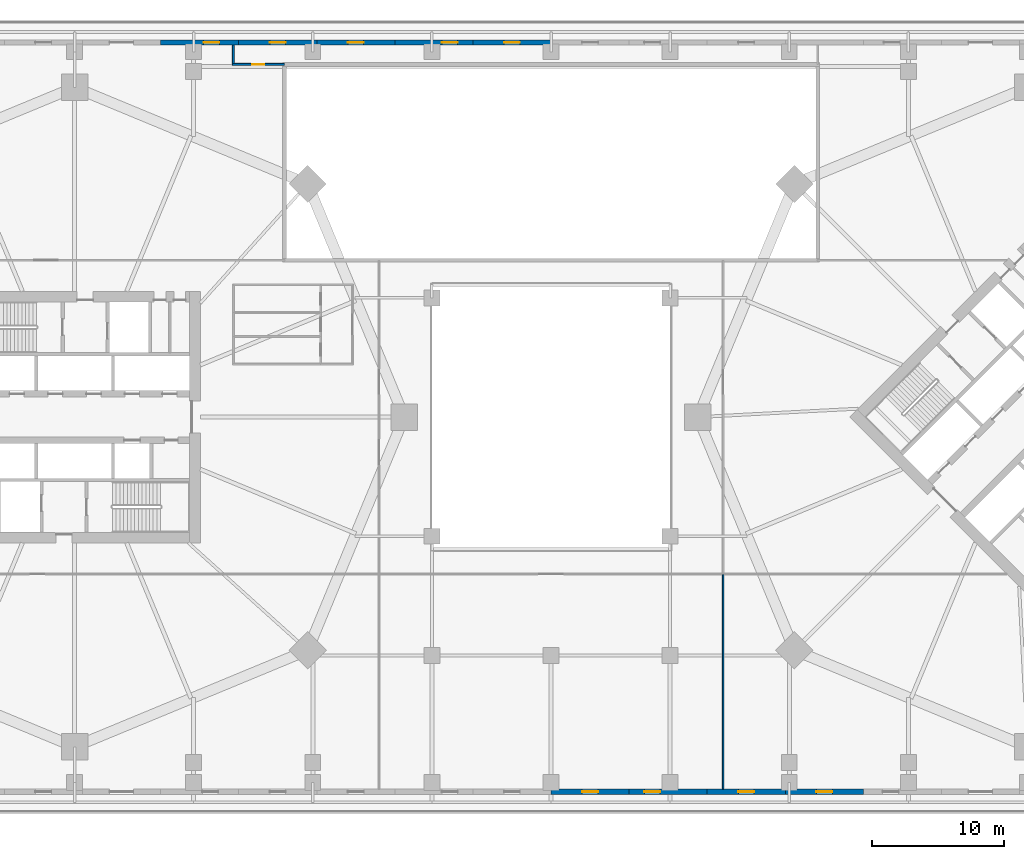
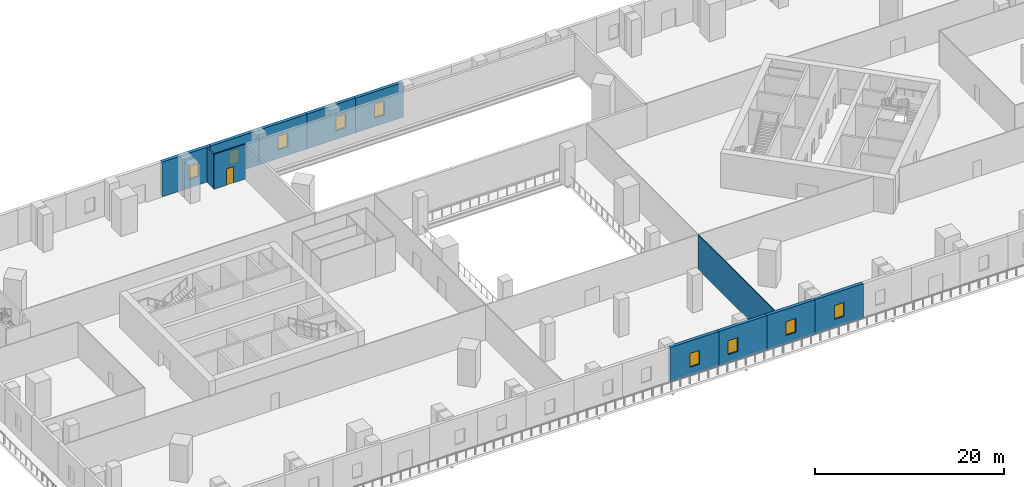
# One storey, part 7 of 17: 12 walls, 9 windows, 1 door, 10 openings.
"""IFC4 building model written with IfcOpenShell, lengths in metres."""

from ifc_helpers import new_model, si_unit, direction, frame, frame_2d, origin, place, context, subcontext, project, spatial, rectangle, extrude, material, layer, layer_set, type_object, element, fill, save


model = new_model("IFC4")

# Units and contexts
model_context = context("Model", 3, precision=1e-05, world=origin(), true_north=direction((0.0, 1.0)))
body_context = subcontext(model_context, "Body", "Model", "MODEL_VIEW")
ifc_project = project(units=[si_unit("LENGTHUNIT", "METRE"), si_unit("AREAUNIT", "SQUARE_METRE"), si_unit("VOLUMEUNIT", "CUBIC_METRE"), si_unit("PLANEANGLEUNIT", "RADIAN"), si_unit("MASSUNIT", "GRAM", prefix="KILO")], contexts=[model_context])

# Site, building, storey
site_placement = place(None, origin())
site = spatial("IfcSite", under=ifc_project, at=site_placement, CompositionType="ELEMENT")
building_placement = place(site_placement, origin())
building = spatial("IfcBuilding", under=site, at=building_placement, Name="Ogive Gate Towers", CompositionType="ELEMENT")
storey_placement = place(building_placement, frame((0.0, 0.0, 18.0)))
storey = spatial("IfcBuildingStorey", under=building, at=storey_placement, Name="L03", CompositionType="ELEMENT", Elevation=18.0)

# Wall
ifc_material_1 = material(Name="Gypsum board partition")
ifc_layer_1 = layer(ifc_material_1, 0.10009765625)
ifc_layer_set_1 = layer_set([ifc_layer_1], Name="Partition wall 100")
wall_type_1 = type_object("IfcWallType", Name="Partition wall 100", PredefinedType="PARTITIONING", material=ifc_layer_set_1)
wall_1_placement = place(storey_placement, frame((13.0, -28.10009765625, 0.0), z_axis=(0.0, 0.0, 1.0), x_axis=(0.0, 1.0, 0.0)))
element("IfcWall", 1, at=wall_1_placement, inside=storey, type_object=wall_type_1, Name="L03 partition 030", PredefinedType="PARTITIONING", context=body_context, shape_type="SweptSolid", body=[
    extrude(rectangle(XDim=16.2001953125, YDim=0.10009765625, at=frame_2d((8.10009765625, 0.0))), origin(), (0.0, 0.0, 1.0), 4.5),
])

# Wall, opening, door
ifc_material_2 = material(Name="Fire-rated gypsum board partition")
ifc_layer_2 = layer(ifc_material_2, 0.14990234375)
ifc_layer_set_2 = layer_set([ifc_layer_2], Name="Partition wall 150")
wall_type_2 = type_object("IfcWallType", Name="Partition wall 150", PredefinedType="PARTITIONING", material=ifc_layer_set_2)
wall_2_placement = place(storey_placement, frame((-24.074951171875, 26.64990234375, 0.0), z_axis=(0.0, 0.0, 1.0), x_axis=(1.0, 0.0, 0.0)))
wall_2 = element("IfcWall", 2, at=wall_2_placement, inside=storey, type_object=wall_type_2, Name="L03 partition 017", PredefinedType="PARTITIONING", context=body_context, shape_type="SweptSolid", body=[
    extrude(rectangle(XDim=3.925048828125, YDim=0.14990234375, at=frame_2d((1.96240234375, 0.0))), origin(), (0.0, 0.0, 1.0), 4.5),
])
opening_1_placement = place(wall_2_placement, frame((1.512451171875, 0.0, 0.0)))
opening_1 = element("IfcOpeningElement", 3, at=opening_1_placement, cuts=wall_2, Name="Opening PO181", PredefinedType="OPENING", context=body_context, shape_type="SweptSolid", body=[
    extrude(rectangle(XDim=0.89990234375, YDim=2.10009765625, at=frame_2d((0.449951171875, 1.050048828125))), frame((0.0, 0.0849609375, 0.0), z_axis=(0.0, -1.0, 0.0), x_axis=(1.0, 0.0, 0.0)), (0.0, 0.0, 1.0), 0.169921875),
])
ifc_material_3 = material(Name="Steel fire door", Category="steel")
door_type = type_object("IfcDoorType", Name="Interior fire door FD60S 900 x 2100", OperationType="NOTDEFINED", PredefinedType="DOOR", material=ifc_material_3)
door_placement = place(opening_1_placement, origin())
door = element("IfcDoor", 4, at=door_placement, inside=storey, type_object=door_type, Name="Door PO181", OperationType="SINGLE_SWING_LEFT", OverallHeight=2.10009765625, OverallWidth=0.89990234375, PredefinedType="DOOR", context=body_context, shape_type="SweptSolid", body=[
    extrude(rectangle(XDim=0.89990234375, YDim=2.10009765625, at=frame_2d((0.449951171875, 1.050048828125))), frame((0.0, 0.02490234375, 0.0), z_axis=(0.0, -1.0, 0.0), x_axis=(1.0, 0.0, 0.0)), (0.0, 0.0, 1.0), 0.050048828125),
])
fill(opening_1, door)

# Wall
wall_3_placement = place(storey_placement, frame((-24.0, 26.72509765625, 0.0), z_axis=(0.0, 0.0, 1.0), x_axis=(0.0, 1.0, 0.0)))
element("IfcWall", 5, at=wall_3_placement, inside=storey, type_object=wall_type_2, Name="L03 partition 018", PredefinedType="PARTITIONING", context=body_context, shape_type="SweptSolid", body=[
    extrude(rectangle(XDim=1.375, YDim=0.14990234375, at=frame_2d((0.6875, 0.0))), origin(), (0.0, 0.0, 1.0), 4.5),
])

# Wall, opening, window
ifc_material_4 = material(Name="Precast concrete C40/50", Category="concrete")
ifc_layer_3 = layer(ifc_material_4, 0.39990234375)
ifc_layer_set_3 = layer_set([ifc_layer_3], Name="Podium wall 400")
wall_type_3 = type_object("IfcWallType", Name="Podium wall 400", PredefinedType="SOLIDWALL", material=ifc_layer_set_3)
wall_4_placement = place(storey_placement, frame((0.0, 28.300048828125, 0.0), z_axis=(0.0, 0.0, 1.0), x_axis=(-1.0, 0.0, 0.0)))
wall_4 = element("IfcWall", 6, at=wall_4_placement, inside=storey, type_object=wall_type_3, Name="Podium wall", PredefinedType="SOLIDWALL", context=body_context, shape_type="SweptSolid", body=[
    extrude(rectangle(XDim=5.89990234375, YDim=0.39990234375, at=frame_2d((2.949951171875, 0.0))), origin(), (0.0, 0.0, 1.0), 4.5),
])
opening_2_placement = place(wall_4_placement, frame((2.35009765625, 0.0, 1.10009765625)))
opening_2 = element("IfcOpeningElement", 7, at=opening_2_placement, cuts=wall_4, Name="Opening WN3", PredefinedType="OPENING", context=body_context, shape_type="SweptSolid", body=[
    extrude(rectangle(XDim=1.199951171875, YDim=1.800048828125, at=frame_2d((0.60009765625, 0.89990234375))), frame((0.0, 0.2099609375, 0.0), z_axis=(0.0, -1.0, 0.0), x_axis=(1.0, 0.0, 0.0)), (0.0, 0.0, 1.0), 0.419921875),
])
ifc_material_5 = material(Name="Clear glass", Category="glass")
window_type = type_object("IfcWindowType", Name="Podium window 1200 x 1800", PartitioningType="SINGLE_PANEL", PredefinedType="WINDOW", material=ifc_material_5)
window_1_placement = place(opening_2_placement, origin())
window_1 = element("IfcWindow", 8, at=window_1_placement, inside=storey, type_object=window_type, Name="Podium window", OverallHeight=1.800048828125, OverallWidth=1.199951171875, PartitioningType="SINGLE_PANEL", PredefinedType="WINDOW", context=body_context, shape_type="SweptSolid", body=[
    extrude(rectangle(XDim=1.199951171875, YDim=1.800048828125, at=frame_2d((0.60009765625, 0.89990234375))), frame((0.0, 0.030029296875, 0.0), z_axis=(0.0, -1.0, 0.0), x_axis=(1.0, 0.0, 0.0)), (0.0, 0.0, 1.0), 0.06005859375),
])
fill(opening_2, window_1)

wall_5_placement = place(storey_placement, frame((-5.89990234375, 28.300048828125, 0.0), z_axis=(0.0, 0.0, 1.0), x_axis=(-1.0, 0.0, 0.0)))
wall_5 = element("IfcWall", 9, at=wall_5_placement, inside=storey, type_object=wall_type_3, Name="Podium wall", PredefinedType="SOLIDWALL", context=body_context, shape_type="SweptSolid", body=[
    extrude(rectangle(XDim=5.900146484375, YDim=0.39990234375, at=frame_2d((2.9501953125, 0.0))), origin(), (0.0, 0.0, 1.0), 4.5),
])
opening_3_placement = place(wall_5_placement, frame((1.14990234375, 0.0, 1.10009765625)))
opening_3 = element("IfcOpeningElement", 10, at=opening_3_placement, cuts=wall_5, Name="Opening WN3", PredefinedType="OPENING", context=body_context, shape_type="SweptSolid", body=[
    extrude(rectangle(XDim=1.199951171875, YDim=1.800048828125, at=frame_2d((0.60009765625, 0.89990234375))), frame((0.0, 0.2099609375, 0.0), z_axis=(0.0, -1.0, 0.0), x_axis=(1.0, 0.0, 0.0)), (0.0, 0.0, 1.0), 0.419921875),
])
window_2_placement = place(opening_3_placement, origin())
window_2 = element("IfcWindow", 11, at=window_2_placement, inside=storey, type_object=window_type, Name="Podium window", OverallHeight=1.800048828125, OverallWidth=1.199951171875, PartitioningType="SINGLE_PANEL", PredefinedType="WINDOW", context=body_context, shape_type="SweptSolid", body=[
    extrude(rectangle(XDim=1.199951171875, YDim=1.800048828125, at=frame_2d((0.60009765625, 0.89990234375))), frame((0.0, 0.030029296875, 0.0), z_axis=(0.0, -1.0, 0.0), x_axis=(1.0, 0.0, 0.0)), (0.0, 0.0, 1.0), 0.06005859375),
])
fill(opening_3, window_2)

wall_6_placement = place(storey_placement, frame((-11.800048828125, 28.300048828125, 0.0), z_axis=(0.0, 0.0, 1.0), x_axis=(-1.0, 0.0, 0.0)))
wall_6 = element("IfcWall", 12, at=wall_6_placement, inside=storey, type_object=wall_type_3, Name="Podium wall", PredefinedType="SOLIDWALL", context=body_context, shape_type="SweptSolid", body=[
    extrude(rectangle(XDim=5.89990234375, YDim=0.39990234375, at=frame_2d((2.949951171875, 0.0))), origin(), (0.0, 0.0, 1.0), 4.5),
])
opening_4_placement = place(wall_6_placement, frame((2.35009765625, 0.0, 1.10009765625)))
opening_4 = element("IfcOpeningElement", 13, at=opening_4_placement, cuts=wall_6, Name="Opening WN3", PredefinedType="OPENING", context=body_context, shape_type="SweptSolid", body=[
    extrude(rectangle(XDim=1.199951171875, YDim=1.800048828125, at=frame_2d((0.60009765625, 0.89990234375))), frame((0.0, 0.2099609375, 0.0), z_axis=(0.0, -1.0, 0.0), x_axis=(1.0, 0.0, 0.0)), (0.0, 0.0, 1.0), 0.419921875),
])
window_3_placement = place(opening_4_placement, origin())
window_3 = element("IfcWindow", 14, at=window_3_placement, inside=storey, type_object=window_type, Name="Podium window", OverallHeight=1.800048828125, OverallWidth=1.199951171875, PartitioningType="SINGLE_PANEL", PredefinedType="WINDOW", context=body_context, shape_type="SweptSolid", body=[
    extrude(rectangle(XDim=1.199951171875, YDim=1.800048828125, at=frame_2d((0.60009765625, 0.89990234375))), frame((0.0, 0.030029296875, 0.0), z_axis=(0.0, -1.0, 0.0), x_axis=(1.0, 0.0, 0.0)), (0.0, 0.0, 1.0), 0.06005859375),
])
fill(opening_4, window_3)

wall_7_placement = place(storey_placement, frame((-17.699951171875, 28.300048828125, 0.0), z_axis=(0.0, 0.0, 1.0), x_axis=(-1.0, 0.0, 0.0)))
wall_7 = element("IfcWall", 15, at=wall_7_placement, inside=storey, type_object=wall_type_3, Name="Podium wall", PredefinedType="SOLIDWALL", context=body_context, shape_type="SweptSolid", body=[
    extrude(rectangle(XDim=5.900146484375, YDim=0.39990234375, at=frame_2d((2.9501953125, 0.0))), origin(), (0.0, 0.0, 1.0), 4.5),
])
opening_5_placement = place(wall_7_placement, frame((2.35009765625, 0.0, 1.10009765625)))
opening_5 = element("IfcOpeningElement", 16, at=opening_5_placement, cuts=wall_7, Name="Opening WN3", PredefinedType="OPENING", context=body_context, shape_type="SweptSolid", body=[
    extrude(rectangle(XDim=1.199951171875, YDim=1.800048828125, at=frame_2d((0.60009765625, 0.89990234375))), frame((0.0, 0.2099609375, 0.0), z_axis=(0.0, -1.0, 0.0), x_axis=(1.0, 0.0, 0.0)), (0.0, 0.0, 1.0), 0.419921875),
])
window_4_placement = place(opening_5_placement, origin())
window_4 = element("IfcWindow", 17, at=window_4_placement, inside=storey, type_object=window_type, Name="Podium window", OverallHeight=1.800048828125, OverallWidth=1.199951171875, PartitioningType="SINGLE_PANEL", PredefinedType="WINDOW", context=body_context, shape_type="SweptSolid", body=[
    extrude(rectangle(XDim=1.199951171875, YDim=1.800048828125, at=frame_2d((0.60009765625, 0.89990234375))), frame((0.0, 0.030029296875, 0.0), z_axis=(0.0, -1.0, 0.0), x_axis=(1.0, 0.0, 0.0)), (0.0, 0.0, 1.0), 0.06005859375),
])
fill(opening_5, window_4)

wall_8_placement = place(storey_placement, frame((-23.60009765625, 28.300048828125, 0.0), z_axis=(0.0, 0.0, 1.0), x_axis=(-1.0, 0.0, 0.0)))
wall_8 = element("IfcWall", 18, at=wall_8_placement, inside=storey, type_object=wall_type_3, Name="Podium wall", PredefinedType="SOLIDWALL", context=body_context, shape_type="SweptSolid", body=[
    extrude(rectangle(XDim=5.89990234375, YDim=0.39990234375, at=frame_2d((2.949951171875, 0.0))), origin(), (0.0, 0.0, 1.0), 4.5),
])
opening_6_placement = place(wall_8_placement, frame((1.449951171875, 0.0, 1.10009765625)))
opening_6 = element("IfcOpeningElement", 19, at=opening_6_placement, cuts=wall_8, Name="Opening WN3", PredefinedType="OPENING", context=body_context, shape_type="SweptSolid", body=[
    extrude(rectangle(XDim=1.199951171875, YDim=1.800048828125, at=frame_2d((0.60009765625, 0.89990234375))), frame((0.0, 0.2099609375, 0.0), z_axis=(0.0, -1.0, 0.0), x_axis=(1.0, 0.0, 0.0)), (0.0, 0.0, 1.0), 0.419921875),
])
window_5_placement = place(opening_6_placement, origin())
window_5 = element("IfcWindow", 20, at=window_5_placement, inside=storey, type_object=window_type, Name="Podium window", OverallHeight=1.800048828125, OverallWidth=1.199951171875, PartitioningType="SINGLE_PANEL", PredefinedType="WINDOW", context=body_context, shape_type="SweptSolid", body=[
    extrude(rectangle(XDim=1.199951171875, YDim=1.800048828125, at=frame_2d((0.60009765625, 0.89990234375))), frame((0.0, 0.030029296875, 0.0), z_axis=(0.0, -1.0, 0.0), x_axis=(1.0, 0.0, 0.0)), (0.0, 0.0, 1.0), 0.06005859375),
])
fill(opening_6, window_5)

wall_9_placement = place(storey_placement, frame((0.0, -28.300048828125, 0.0), z_axis=(0.0, 0.0, 1.0), x_axis=(1.0, 0.0, 0.0)))
wall_9 = element("IfcWall", 21, at=wall_9_placement, inside=storey, type_object=wall_type_3, Name="Podium wall", PredefinedType="SOLIDWALL", context=body_context, shape_type="SweptSolid", body=[
    extrude(rectangle(XDim=5.89990234375, YDim=0.39990234375, at=frame_2d((2.949951171875, 0.0))), origin(), (0.0, 0.0, 1.0), 4.5),
])
opening_7_placement = place(wall_9_placement, frame((2.35009765625, 0.0, 1.10009765625)))
opening_7 = element("IfcOpeningElement", 22, at=opening_7_placement, cuts=wall_9, Name="Opening WN3", PredefinedType="OPENING", context=body_context, shape_type="SweptSolid", body=[
    extrude(rectangle(XDim=1.199951171875, YDim=1.800048828125, at=frame_2d((0.60009765625, 0.89990234375))), frame((0.0, 0.2099609375, 0.0), z_axis=(0.0, -1.0, 0.0), x_axis=(1.0, 0.0, 0.0)), (0.0, 0.0, 1.0), 0.419921875),
])
window_6_placement = place(opening_7_placement, origin())
window_6 = element("IfcWindow", 23, at=window_6_placement, inside=storey, type_object=window_type, Name="Podium window", OverallHeight=1.800048828125, OverallWidth=1.199951171875, PartitioningType="SINGLE_PANEL", PredefinedType="WINDOW", context=body_context, shape_type="SweptSolid", body=[
    extrude(rectangle(XDim=1.199951171875, YDim=1.800048828125, at=frame_2d((0.60009765625, 0.89990234375))), frame((0.0, 0.030029296875, 0.0), z_axis=(0.0, -1.0, 0.0), x_axis=(1.0, 0.0, 0.0)), (0.0, 0.0, 1.0), 0.06005859375),
])
fill(opening_7, window_6)

wall_10_placement = place(storey_placement, frame((5.89990234375, -28.300048828125, 0.0), z_axis=(0.0, 0.0, 1.0), x_axis=(1.0, 0.0, 0.0)))
wall_10 = element("IfcWall", 24, at=wall_10_placement, inside=storey, type_object=wall_type_3, Name="Podium wall", PredefinedType="SOLIDWALL", context=body_context, shape_type="SweptSolid", body=[
    extrude(rectangle(XDim=5.900146484375, YDim=0.39990234375, at=frame_2d((2.9501953125, 0.0))), origin(), (0.0, 0.0, 1.0), 4.5),
])
opening_8_placement = place(wall_10_placement, frame((1.14990234375, 0.0, 1.10009765625)))
opening_8 = element("IfcOpeningElement", 25, at=opening_8_placement, cuts=wall_10, Name="Opening WN3", PredefinedType="OPENING", context=body_context, shape_type="SweptSolid", body=[
    extrude(rectangle(XDim=1.199951171875, YDim=1.800048828125, at=frame_2d((0.60009765625, 0.89990234375))), frame((0.0, 0.2099609375, 0.0), z_axis=(0.0, -1.0, 0.0), x_axis=(1.0, 0.0, 0.0)), (0.0, 0.0, 1.0), 0.419921875),
])
window_7_placement = place(opening_8_placement, origin())
window_7 = element("IfcWindow", 26, at=window_7_placement, inside=storey, type_object=window_type, Name="Podium window", OverallHeight=1.800048828125, OverallWidth=1.199951171875, PartitioningType="SINGLE_PANEL", PredefinedType="WINDOW", context=body_context, shape_type="SweptSolid", body=[
    extrude(rectangle(XDim=1.199951171875, YDim=1.800048828125, at=frame_2d((0.60009765625, 0.89990234375))), frame((0.0, 0.030029296875, 0.0), z_axis=(0.0, -1.0, 0.0), x_axis=(1.0, 0.0, 0.0)), (0.0, 0.0, 1.0), 0.06005859375),
])
fill(opening_8, window_7)

wall_11_placement = place(storey_placement, frame((11.800048828125, -28.300048828125, 0.0), z_axis=(0.0, 0.0, 1.0), x_axis=(1.0, 0.0, 0.0)))
wall_11 = element("IfcWall", 27, at=wall_11_placement, inside=storey, type_object=wall_type_3, Name="Podium wall", PredefinedType="SOLIDWALL", context=body_context, shape_type="SweptSolid", body=[
    extrude(rectangle(XDim=5.89990234375, YDim=0.39990234375, at=frame_2d((2.949951171875, 0.0))), origin(), (0.0, 0.0, 1.0), 4.5),
])
opening_9_placement = place(wall_11_placement, frame((2.35009765625, 0.0, 1.10009765625)))
opening_9 = element("IfcOpeningElement", 28, at=opening_9_placement, cuts=wall_11, Name="Opening WN3", PredefinedType="OPENING", context=body_context, shape_type="SweptSolid", body=[
    extrude(rectangle(XDim=1.199951171875, YDim=1.800048828125, at=frame_2d((0.60009765625, 0.89990234375))), frame((0.0, 0.2099609375, 0.0), z_axis=(0.0, -1.0, 0.0), x_axis=(1.0, 0.0, 0.0)), (0.0, 0.0, 1.0), 0.419921875),
])
window_8_placement = place(opening_9_placement, origin())
window_8 = element("IfcWindow", 29, at=window_8_placement, inside=storey, type_object=window_type, Name="Podium window", OverallHeight=1.800048828125, OverallWidth=1.199951171875, PartitioningType="SINGLE_PANEL", PredefinedType="WINDOW", context=body_context, shape_type="SweptSolid", body=[
    extrude(rectangle(XDim=1.199951171875, YDim=1.800048828125, at=frame_2d((0.60009765625, 0.89990234375))), frame((0.0, 0.030029296875, 0.0), z_axis=(0.0, -1.0, 0.0), x_axis=(1.0, 0.0, 0.0)), (0.0, 0.0, 1.0), 0.06005859375),
])
fill(opening_9, window_8)

wall_12_placement = place(storey_placement, frame((17.699951171875, -28.300048828125, 0.0), z_axis=(0.0, 0.0, 1.0), x_axis=(1.0, 0.0, 0.0)))
wall_12 = element("IfcWall", 30, at=wall_12_placement, inside=storey, type_object=wall_type_3, Name="Podium wall", PredefinedType="SOLIDWALL", context=body_context, shape_type="SweptSolid", body=[
    extrude(rectangle(XDim=5.900146484375, YDim=0.39990234375, at=frame_2d((2.9501953125, 0.0))), origin(), (0.0, 0.0, 1.0), 4.5),
])
opening_10_placement = place(wall_12_placement, frame((2.35009765625, 0.0, 1.10009765625)))
opening_10 = element("IfcOpeningElement", 31, at=opening_10_placement, cuts=wall_12, Name="Opening WN3", PredefinedType="OPENING", context=body_context, shape_type="SweptSolid", body=[
    extrude(rectangle(XDim=1.199951171875, YDim=1.800048828125, at=frame_2d((0.60009765625, 0.89990234375))), frame((0.0, 0.2099609375, 0.0), z_axis=(0.0, -1.0, 0.0), x_axis=(1.0, 0.0, 0.0)), (0.0, 0.0, 1.0), 0.419921875),
])
window_9_placement = place(opening_10_placement, origin())
window_9 = element("IfcWindow", 32, at=window_9_placement, inside=storey, type_object=window_type, Name="Podium window", OverallHeight=1.800048828125, OverallWidth=1.199951171875, PartitioningType="SINGLE_PANEL", PredefinedType="WINDOW", context=body_context, shape_type="SweptSolid", body=[
    extrude(rectangle(XDim=1.199951171875, YDim=1.800048828125, at=frame_2d((0.60009765625, 0.89990234375))), frame((0.0, 0.030029296875, 0.0), z_axis=(0.0, -1.0, 0.0), x_axis=(1.0, 0.0, 0.0)), (0.0, 0.0, 1.0), 0.06005859375),
])
fill(opening_10, window_9)

save(model, "model.ifc")
